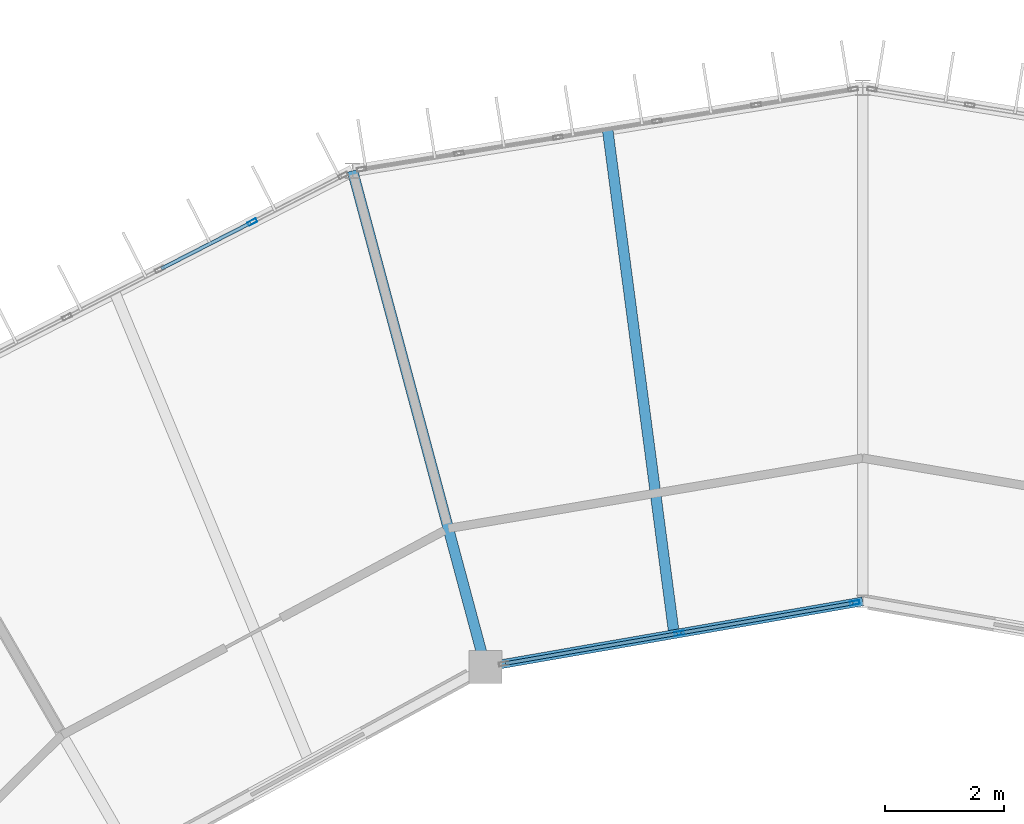
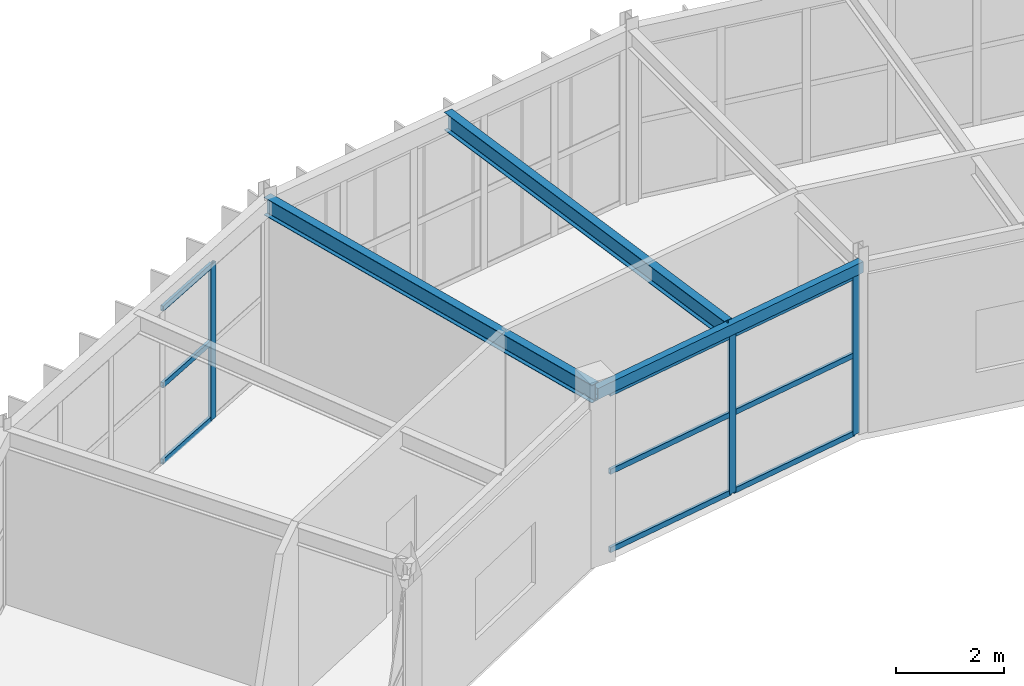
# One storey, part 62 of 106: 12 members, 3 beams, 2 elements without a shape of their own.
"""IFC4 building model written with IfcOpenShell, lengths in metres."""

from ifc_helpers import new_model, si_unit, direction, frame, origin, origin_2d, place, context, subcontext, project, spatial, hollow_rectangle, i_section, extrude, material, material_profile, profile_set, type_object, element, aggregate, save


model = new_model("IFC4")

# Units and contexts
model_context = context("Model", 3, precision=1e-05, world=origin(), true_north=direction((0.0, 1.0)))
body_context = subcontext(model_context, "Body", "Model", "MODEL_VIEW")
ifc_project = project(units=[si_unit("LENGTHUNIT", "METRE"), si_unit("AREAUNIT", "SQUARE_METRE"), si_unit("VOLUMEUNIT", "CUBIC_METRE"), si_unit("PLANEANGLEUNIT", "RADIAN"), si_unit("MASSUNIT", "GRAM", prefix="KILO")], contexts=[model_context])

# Site, building, storey
site_placement = place(None, origin())
site = spatial("IfcSite", under=ifc_project, at=site_placement, CompositionType="ELEMENT")
building_placement = place(site_placement, origin())
building = spatial("IfcBuilding", under=site, at=building_placement, Name="Karori Crest Natural Sciences Institute", CompositionType="ELEMENT")
storey_placement = place(building_placement, frame((0.0, 0.0, 25.89990234375)))
storey = spatial("IfcBuildingStorey", under=building, at=storey_placement, Name="L06", CompositionType="ELEMENT", Elevation=25.89990234375)

# Beams
ifc_material_1 = material(Name="Structural steel AS/NZS 3679.1 Grade 350", Category="steel")
ifc_material_profile_1 = material_profile(ifc_material_1, i_section(OverallWidth=0.177978515625, OverallDepth=0.406005859375, WebThickness=0.0078125, FlangeThickness=0.0126953125, FilletRadius=0.010986328125, at=origin_2d()), Name="410UB59.7")
ifc_profile_set_1 = profile_set([ifc_material_profile_1], Name="Structural steel AS/NZS 3679.1 Grade 350")
beam_type_1 = type_object("IfcBeamType", Name="BT-07", PredefinedType="BEAM", material=ifc_profile_set_1)
beam_1_placement = place(storey_placement, frame((60.084716796875, 81.002685546875, 3.739990234375), z_axis=(-0.258812709002, 0.96592752402, 0.0), x_axis=(-0.96592752402, -0.258812709002, 0.0)))
element("IfcBeam", 1, at=beam_1_placement, inside=storey, type_object=beam_type_1, Name="Beam B-0667", PredefinedType="BEAM", context=body_context, shape_type="SweptSolid", body=[
    extrude(i_section(OverallWidth=0.177978515625, OverallDepth=0.406005859375, WebThickness=0.0078125, FlangeThickness=0.0126953125, FilletRadius=0.010986328125, at=origin_2d()), origin(), (0.0, 0.0, 1.0), 8.60009765625),
])
beam_2_placement = place(storey_placement, frame((63.242431640625, 81.551513671875, 3.739990234375), z_axis=(-0.130541173449, 0.991442888942, 0.0), x_axis=(-0.991442888942, -0.130541173449, 0.0)))
element("IfcBeam", 2, at=beam_2_placement, inside=storey, type_object=beam_type_1, Name="Beam B-2887", PredefinedType="BEAM", context=body_context, shape_type="SweptSolid", body=[
    extrude(i_section(OverallWidth=0.177978515625, OverallDepth=0.406005859375, WebThickness=0.0078125, FlangeThickness=0.0126953125, FilletRadius=0.010986328125, at=origin_2d()), origin(), (0.0, 0.0, 1.0), 8.5263671875),
])
ifc_material_2 = material(Name="Hollow structural steel AS/NZS 1163 Grade C350", Category="steel")
ifc_material_profile_2 = material_profile(ifc_material_2, hollow_rectangle(XDim=0.14990234375, YDim=0.25, WallThickness=0.009033203125, at=origin_2d()), Name="RHS250x150x9")
ifc_profile_set_2 = profile_set([ifc_material_profile_2], Name="Hollow structural steel AS/NZS 1163 Grade C350")
beam_type_2 = type_object("IfcBeamType", Name="BT-16", PredefinedType="SPANDREL", material=ifc_profile_set_2)
beam_3_placement = place(storey_placement, frame((66.39990234375, 82.10009765625, 3.739990234375), z_axis=(-0.985234948316, -0.171207758638, 0.0), x_axis=(0.171207758638, -0.985234948316, 0.0)))
element("IfcBeam", 3, at=beam_3_placement, inside=storey, type_object=beam_type_2, Name="Beam B-0663", PredefinedType="SPANDREL", context=body_context, shape_type="SweptSolid", body=[
    extrude(hollow_rectangle(XDim=0.14990234375, YDim=0.25, WallThickness=0.009033203125, at=origin_2d()), origin(), (0.0, 0.0, 1.0), 6.409912109375),
])

# Curtain wall, members
ifc_material_3 = material(Name="Anodised architectural aluminium 6063-T6", Category="aluminium")
curtain_wall_type_1 = type_object("IfcCurtainWallType", Name="CWT-12", PredefinedType="NOTDEFINED", material=ifc_material_3)
curtain_wall_1_placement = place(storey_placement, origin())
curtain_wall_1 = element("IfcCurtainWall", 4, at=curtain_wall_1_placement, inside=storey, type_object=curtain_wall_type_1, Name="Curtain wall CW-0230", PredefinedType="NOTDEFINED")
ifc_material_profile_3 = material_profile(ifc_material_3, hollow_rectangle(XDim=0.06494140625, YDim=0.159912109375, WallThickness=0.00390625, at=origin_2d()), Name="CWM160x65x4")
ifc_profile_set_3 = profile_set([ifc_material_profile_3], Name="Anodised architectural aluminium 6063-T6")
member_type_1 = type_object("IfcMemberType", Name="CWM-01", PredefinedType="MULLION", material=ifc_profile_set_3)
member_1_placement = place(storey_placement, frame((66.267578125, 82.076904296875, 0.0), z_axis=(0.0, 0.0, 1.0), x_axis=(0.171173924291, -0.985240827231, 0.0)))
member_1 = element("IfcMember", 5, at=member_1_placement, type_object=member_type_1, Name="CW-0230 mullion 1", PredefinedType="MULLION", context=body_context, shape_type="SweptSolid", body=[
    extrude(hollow_rectangle(XDim=0.06494140625, YDim=0.159912109375, WallThickness=0.00390625, at=origin_2d()), origin(), (0.0, 0.0, 1.0), 3.60009765625),
])
member_2_placement = place(storey_placement, frame((63.32861328125, 81.56640625, 0.0), z_axis=(0.0, 0.0, 1.0), x_axis=(0.171173924291, -0.985240827231, 0.0)))
member_2 = element("IfcMember", 6, at=member_2_placement, type_object=member_type_1, Name="CW-0230 mullion 2", PredefinedType="MULLION", context=body_context, shape_type="SweptSolid", body=[
    extrude(hollow_rectangle(XDim=0.06494140625, YDim=0.159912109375, WallThickness=0.00390625, at=origin_2d()), origin(), (0.0, 0.0, 1.0), 3.60009765625),
])

# Curtain wall, member
curtain_wall_type_2 = type_object("IfcCurtainWallType", Name="CWT-08", PredefinedType="NOTDEFINED", material=ifc_material_3)
curtain_wall_2_placement = place(storey_placement, origin())
curtain_wall_2 = element("IfcCurtainWall", 7, at=curtain_wall_2_placement, inside=storey, type_object=curtain_wall_type_2, Name="Curtain wall CW-0231", PredefinedType="NOTDEFINED")
member_3_placement = place(storey_placement, frame((56.18212890625, 88.450927734375, 0.0), z_axis=(0.0, 0.0, 1.0), x_axis=(-0.455828878252, 0.890067432138, 0.0)))
member_3 = element("IfcMember", 8, at=member_3_placement, type_object=member_type_1, Name="CW-0231 mullion 5", PredefinedType="MULLION", context=body_context, shape_type="SweptSolid", body=[
    extrude(hollow_rectangle(XDim=0.06494140625, YDim=0.159912109375, WallThickness=0.00390625, at=origin_2d()), origin(), (0.0, 0.0, 1.0), 3.525146484375),
])

# Member
ifc_material_profile_4 = material_profile(ifc_material_3, hollow_rectangle(XDim=0.06005859375, YDim=0.1201171875, WallThickness=0.00390625, at=origin_2d()), Name="CWT120x60x4")
ifc_profile_set_4 = profile_set([ifc_material_profile_4], Name="Anodised architectural aluminium 6063-T6")
member_type_2 = type_object("IfcMemberType", Name="CWT-TR1", PredefinedType="USERDEFINED", material=ifc_profile_set_4)
member_4_placement = place(storey_placement, frame((66.2353515625, 82.0712890625, 0.030029296875), z_axis=(-0.985251645562, -0.171111644601, 0.0), x_axis=(0.171111644601, -0.985251645562, 0.0)))
member_4 = element("IfcMember", 9, at=member_4_placement, type_object=member_type_2, Name="CW-0230 transom 1.1", ObjectType="TRANSOM", PredefinedType="USERDEFINED", context=body_context, shape_type="SweptSolid", body=[
    extrude(hollow_rectangle(XDim=0.06005859375, YDim=0.1201171875, WallThickness=0.00390625, at=origin_2d()), origin(), (0.0, 0.0, 1.0), 2.917724609375),
])

member_5_placement = place(storey_placement, frame((66.2353515625, 82.0712890625, 1.800048828125), z_axis=(-0.985251645562, -0.171111644601, 0.0), x_axis=(0.171111644601, -0.985251645562, 0.0)))
member_5 = element("IfcMember", 10, at=member_5_placement, type_object=member_type_2, Name="CW-0230 transom 1.2", ObjectType="TRANSOM", PredefinedType="USERDEFINED", context=body_context, shape_type="SweptSolid", body=[
    extrude(hollow_rectangle(XDim=0.06005859375, YDim=0.1201171875, WallThickness=0.00390625, at=origin_2d()), origin(), (0.0, 0.0, 1.0), 2.917724609375),
])

member_6_placement = place(storey_placement, frame((66.2353515625, 82.0712890625, 3.570068359375), z_axis=(-0.985251645562, -0.171111644601, 0.0), x_axis=(0.171111644601, -0.985251645562, 0.0)))
member_6 = element("IfcMember", 11, at=member_6_placement, type_object=member_type_2, Name="CW-0230 transom 1.3", ObjectType="TRANSOM", PredefinedType="USERDEFINED", context=body_context, shape_type="SweptSolid", body=[
    extrude(hollow_rectangle(XDim=0.06005859375, YDim=0.1201171875, WallThickness=0.00390625, at=origin_2d()), origin(), (0.0, 0.0, 1.0), 2.917724609375),
])

member_7_placement = place(storey_placement, frame((63.296630859375, 81.560791015625, 0.030029296875), z_axis=(-0.98523753612, -0.171192866149, 0.0), x_axis=(0.171192866149, -0.98523753612, 0.0)))
member_7 = element("IfcMember", 12, at=member_7_placement, type_object=member_type_2, Name="CW-0230 transom 2.1", ObjectType="TRANSOM", PredefinedType="USERDEFINED", context=body_context, shape_type="SweptSolid", body=[
    extrude(hollow_rectangle(XDim=0.06005859375, YDim=0.1201171875, WallThickness=0.00390625, at=origin_2d()), origin(), (0.0, 0.0, 1.0), 2.917724609375),
])

member_8_placement = place(storey_placement, frame((63.296630859375, 81.560791015625, 1.800048828125), z_axis=(-0.98523753612, -0.171192866149, 0.0), x_axis=(0.171192866149, -0.98523753612, 0.0)))
member_8 = element("IfcMember", 13, at=member_8_placement, type_object=member_type_2, Name="CW-0230 transom 2.2", ObjectType="TRANSOM", PredefinedType="USERDEFINED", context=body_context, shape_type="SweptSolid", body=[
    extrude(hollow_rectangle(XDim=0.06005859375, YDim=0.1201171875, WallThickness=0.00390625, at=origin_2d()), origin(), (0.0, 0.0, 1.0), 2.917724609375),
])

member_9_placement = place(storey_placement, frame((63.296630859375, 81.560791015625, 3.570068359375), z_axis=(-0.98523753612, -0.171192866149, 0.0), x_axis=(0.171192866149, -0.98523753612, 0.0)))
member_9 = element("IfcMember", 14, at=member_9_placement, type_object=member_type_2, Name="CW-0230 transom 2.3", ObjectType="TRANSOM", PredefinedType="USERDEFINED", context=body_context, shape_type="SweptSolid", body=[
    extrude(hollow_rectangle(XDim=0.06005859375, YDim=0.1201171875, WallThickness=0.00390625, at=origin_2d()), origin(), (0.0, 0.0, 1.0), 2.917724609375),
])

aggregate(curtain_wall_1, [member_1, member_2, member_4, member_5, member_6, member_7, member_8, member_9])

member_10_placement = place(storey_placement, frame((54.6591796875, 87.671142578125, 0.030029296875), z_axis=(0.890050562189, 0.455861817601, 0.0), x_axis=(-0.455861817601, 0.890050562189, 0.0)))
member_10 = element("IfcMember", 15, at=member_10_placement, type_object=member_type_2, Name="CW-0231 transom 4.1", ObjectType="TRANSOM", PredefinedType="USERDEFINED", context=body_context, shape_type="SweptSolid", body=[
    extrude(hollow_rectangle(XDim=0.06005859375, YDim=0.1201171875, WallThickness=0.00390625, at=origin_2d()), origin(), (0.0, 0.0, 1.0), 1.678466796875),
])

member_11_placement = place(storey_placement, frame((54.6591796875, 87.671142578125, 1.7626953125), z_axis=(0.890050562189, 0.455861817601, 0.0), x_axis=(-0.455861817601, 0.890050562189, 0.0)))
member_11 = element("IfcMember", 16, at=member_11_placement, type_object=member_type_2, Name="CW-0231 transom 4.2", ObjectType="TRANSOM", PredefinedType="USERDEFINED", context=body_context, shape_type="SweptSolid", body=[
    extrude(hollow_rectangle(XDim=0.06005859375, YDim=0.1201171875, WallThickness=0.00390625, at=origin_2d()), origin(), (0.0, 0.0, 1.0), 1.678466796875),
])

member_12_placement = place(storey_placement, frame((54.6591796875, 87.671142578125, 3.4951171875), z_axis=(0.890050562189, 0.455861817601, 0.0), x_axis=(-0.455861817601, 0.890050562189, 0.0)))
member_12 = element("IfcMember", 17, at=member_12_placement, type_object=member_type_2, Name="CW-0231 transom 4.3", ObjectType="TRANSOM", PredefinedType="USERDEFINED", context=body_context, shape_type="SweptSolid", body=[
    extrude(hollow_rectangle(XDim=0.06005859375, YDim=0.1201171875, WallThickness=0.00390625, at=origin_2d()), origin(), (0.0, 0.0, 1.0), 1.678466796875),
])

aggregate(curtain_wall_2, [member_3, member_10, member_11, member_12])

save(model, "model.ifc")
